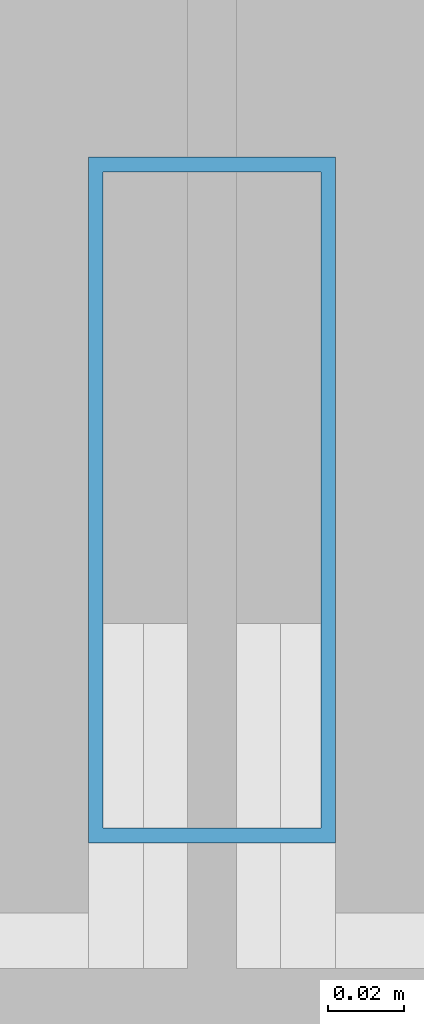
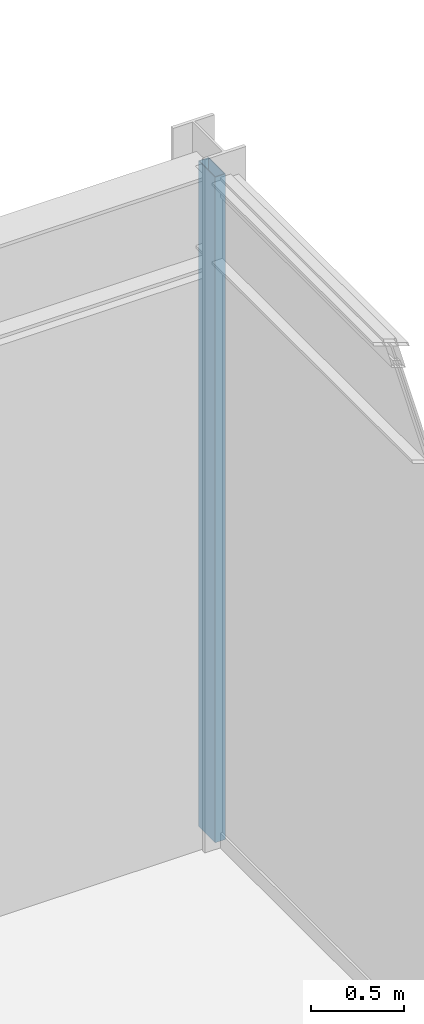
# One storey, part 11 of 22: 1 member, 1 element without a shape of its own.
"""IFC4 building model written with IfcOpenShell, lengths in metres."""

import ifcopenshell
import ifcopenshell.guid

model = None  # the IFC model being written
_history = None  # IfcOwnerHistory: only IFC2X3 demands one
_inside = {}  # id of a spatial element -> (the spatial element, [elements in it])
_under = {}  # id of a project, library or spatial element -> (it, [spatial elements below it])
_declared = {}  # id of a project -> (the project, [libraries it declares])
_typed = {}  # id of a type object -> (the type object, [elements of that type])
_made_of = {}  # id of a material, layer set ... -> (it, [elements and type objects made of it])


def new_model(schema):
    """Start an empty IFC model of exactly this schema.

    Asked for "IFC4X3", IfcOpenShell would pick the latest addendum, in which some entities
    have other attributes; the version numbers below select the first issue.
    IFC2X3 requires an IfcOwnerHistory on every rooted entity: one is made here for all.
    """
    global model, _history
    if schema == "IFC4X3":
        model = ifcopenshell.file(schema_version=(4, 3, 0, 0))
    else:
        model = ifcopenshell.file(schema=schema)
    _inside.clear()
    _under.clear()
    _declared.clear()
    _typed.clear()
    _made_of.clear()
    _history = None
    if model.schema == "IFC2X3":
        org = make("IfcOrganization", Name="unknown")
        user = make(
            "IfcPersonAndOrganization",
            ThePerson=make("IfcPerson", FamilyName="unknown"),
            TheOrganization=org,
        )
        app = make(
            "IfcApplication",
            ApplicationDeveloper=org,
            Version="unknown",
            ApplicationFullName="unknown",
            ApplicationIdentifier="unknown",
        )
        _history = make(
            "IfcOwnerHistory",
            OwningUser=user,
            OwningApplication=app,
            ChangeAction="ADDED",
            CreationDate=0,
        )
    return model


def make(cls, **values):
    """One entity of the class cls with the attributes given. An attribute that is None is left unset."""
    return model.create_entity(
        cls, **{name: value for name, value in values.items() if value is not None}
    )


def rooted(cls, **values):
    """An entity with a GlobalId (a new one), such as an element, a storey or a relation."""
    return make(cls, GlobalId=ifcopenshell.guid.new(), OwnerHistory=_history, **values)


def si_unit(unit_type, name, prefix=None):
    """IfcSIUnit, for example si_unit("LENGTHUNIT", "METRE", prefix="MILLI")."""
    return make("IfcSIUnit", UnitType=unit_type, Prefix=prefix, Name=name)


def assignment(units):
    """IfcUnitAssignment: the units of a project."""
    return None if units is None else make("IfcUnitAssignment", Units=units)


def point(xyz):
    """IfcCartesianPoint."""
    return None if xyz is None else make("IfcCartesianPoint", Coordinates=xyz)


def direction(xyz):
    """IfcDirection."""
    return None if xyz is None else make("IfcDirection", DirectionRatios=xyz)


def frame(location, z_axis=None, x_axis=None):
    """IfcAxis2Placement3D, a coordinate frame: its origin and axes. An axis left out is left unset."""
    return make(
        "IfcAxis2Placement3D",
        Location=point(location),
        Axis=direction(z_axis),
        RefDirection=direction(x_axis),
    )


def frame_2d(location, x_axis=None):
    """IfcAxis2Placement2D, a coordinate frame in the plane: its origin and x axis."""
    return make(
        "IfcAxis2Placement2D", Location=point(location), RefDirection=direction(x_axis)
    )


def origin():
    """The frame at (0, 0, 0) with its axes left unset."""
    return frame((0.0, 0.0, 0.0))


def origin_2d():
    """The frame at (0, 0) in the plane with its x axis left unset."""
    return frame_2d((0.0, 0.0))


def place(relative_to, where):
    """IfcLocalPlacement: puts the frame where relative to a parent placement (None: the world)."""
    return make(
        "IfcLocalPlacement", PlacementRelTo=relative_to, RelativePlacement=where
    )


def context(
    kind, dimensions, precision=None, world=None, true_north=None, identifier=None
):
    """IfcGeometricRepresentationContext, for example the 3D "Model" context."""
    return make(
        "IfcGeometricRepresentationContext",
        ContextIdentifier=identifier,
        ContextType=kind,
        CoordinateSpaceDimension=dimensions,
        Precision=precision,
        WorldCoordinateSystem=world,
        TrueNorth=true_north,
    )


def subcontext(parent, identifier, kind, view, scale=None):
    """IfcGeometricRepresentationSubContext, for example "Body" below "Model"."""
    return make(
        "IfcGeometricRepresentationSubContext",
        ContextIdentifier=identifier,
        ContextType=kind,
        ParentContext=parent,
        TargetScale=scale,
        TargetView=view,
    )


def project(units=None, contexts=None):
    """IfcProject with its units and contexts."""
    return rooted(
        "IfcProject",
        Name="project",
        RepresentationContexts=contexts,
        UnitsInContext=assignment(units),
    )


def spatial(cls, under=None, at=None, **own):
    """A site, building, storey or space (cls), placed at a placement, below another one or the project."""
    s = rooted(cls, ObjectPlacement=at, **own)
    if under is not None:
        _under.setdefault(under.id(), (under, []))[1].append(s)
    return s


def profile(cls, at=None, kind="AREA", **sizes):
    """A parametric profile (cls). Its sizes go by their IFC names, for example OverallWidth=200.0."""
    return make(cls, ProfileType=kind, Position=at, **sizes)


def hollow_rectangle(**sizes):
    """IfcRectangleHollowProfileDef."""
    return profile("IfcRectangleHollowProfileDef", **sizes)


def extrude(swept, where, along, depth):
    """IfcExtrudedAreaSolid: the profile swept, set in the frame where, extruded along a direction by depth."""
    return make(
        "IfcExtrudedAreaSolid",
        SweptArea=swept,
        Position=where,
        ExtrudedDirection=direction(along),
        Depth=depth,
    )


def shape(context_of_items, identifier, shape_type, items):
    """IfcShapeRepresentation: the items that make up one representation, for example the "Body"."""
    return make(
        "IfcShapeRepresentation",
        ContextOfItems=context_of_items,
        RepresentationIdentifier=identifier,
        RepresentationType=shape_type,
        Items=items,
    )


def material(Name=None, Category=None):
    """IfcMaterial."""
    return make("IfcMaterial", Name=Name, Category=Category)


def material_profile(
    of_material, cross_section, Name=None, Category=None, Priority=None
):
    """IfcMaterialProfile: a cross section and its material."""
    return make(
        "IfcMaterialProfile",
        Name=Name,
        Material=of_material,
        Profile=cross_section,
        Priority=Priority,
        Category=Category,
    )


def profile_set(profiles, Name=None, composite=None):
    """IfcMaterialProfileSet."""
    return make(
        "IfcMaterialProfileSet",
        Name=Name,
        MaterialProfiles=profiles,
        CompositeProfile=composite,
    )


def made_of(thing, what):
    """Note that an element or type object is made of a material, layer set ...; save() writes the relation."""
    if what is not None:
        _made_of.setdefault(what.id(), (what, []))[1].append(thing)
    return thing


def type_object(cls, material=None, **own):
    """A type object (cls), such as IfcWallType, which elements share."""
    return made_of(rooted(cls, **own), material)


def element(
    cls,
    number,
    at=None,
    inside=None,
    cuts=None,
    type_object=None,
    material=None,
    context=None,
    identifier="Body",
    shape_type=None,
    held_by="IfcProductDefinitionShape",
    body=None,
    shapes=None,
    **own,
):
    """One element of the class cls, such as IfcWall. Its Tag is "e" and its number.

    at: its placement. inside: the storey or other place that contains it. cuts: it is an
    opening in that element (IfcRelVoidsElement). A single representation is given by context,
    identifier, shape_type and body (its items); several are given by shapes. held_by: the class
    of the entity that holds the representations. save() writes the other relations.
    """
    e = rooted(cls, Tag="e%d" % number, ObjectPlacement=at, **own)
    if body is not None:
        shapes = [shape(context, identifier, shape_type, body)]
    if shapes is not None:
        e.Representation = make(held_by, Representations=shapes)
    if inside is not None:
        _inside.setdefault(inside.id(), (inside, []))[1].append(e)
    if cuts is not None:
        rooted(
            "IfcRelVoidsElement", RelatingBuildingElement=cuts, RelatedOpeningElement=e
        )
    if type_object is not None:
        _typed.setdefault(type_object.id(), (type_object, []))[1].append(e)
    return made_of(e, material)


def aggregate(whole, parts):
    """IfcRelAggregates: a whole, such as a stair, and the parts it consists of."""
    return rooted("IfcRelAggregates", RelatingObject=whole, RelatedObjects=parts)


def save(model, path):
    """Write the relations noted so far, then the file.

    IfcRelAggregates (storeys below a building ...), IfcRelContainedInSpatialStructure (elements
    in a storey), IfcRelDefinesByType, IfcRelAssociatesMaterial and IfcRelDeclares: one each for
    every whole, place, type object, material and project.
    """
    for whole, parts in _under.values():
        aggregate(whole, parts)
    for where, things in _inside.values():
        rooted(
            "IfcRelContainedInSpatialStructure",
            RelatedElements=things,
            RelatingStructure=where,
        )
    for kind, things in _typed.values():
        rooted("IfcRelDefinesByType", RelatedObjects=things, RelatingType=kind)
    for what, things in _made_of.values():
        rooted("IfcRelAssociatesMaterial", RelatedObjects=things, RelatingMaterial=what)
    for by, libraries in _declared.values():
        rooted("IfcRelDeclares", RelatingContext=by, RelatedDefinitions=libraries)
    model.write(path)


model = new_model("IFC4")

# Units and contexts
model_context = context("Model", 3, precision=1e-05, world=origin(), true_north=direction((0.0, 1.0)))
body_context = subcontext(model_context, "Body", "Model", "MODEL_VIEW")
ifc_project = project(units=[si_unit("LENGTHUNIT", "METRE"), si_unit("AREAUNIT", "SQUARE_METRE"), si_unit("VOLUMEUNIT", "CUBIC_METRE"), si_unit("PLANEANGLEUNIT", "RADIAN"), si_unit("MASSUNIT", "GRAM", prefix="KILO")], contexts=[model_context])

# Site, building, storey
site_placement = place(None, origin())
site = spatial("IfcSite", under=ifc_project, at=site_placement, CompositionType="ELEMENT")
building_placement = place(site_placement, origin())
building = spatial("IfcBuilding", under=site, at=building_placement, Name="Almandine Court Research Institute", CompositionType="ELEMENT")
storey_placement = place(building_placement, frame((0.0, 0.0, 28.0)))
storey = spatial("IfcBuildingStorey", under=building, at=storey_placement, Name="L06", CompositionType="ELEMENT", Elevation=28.0)

# Curtain wall, member
ifc_material_1 = material(Name="Unitised Curtain Wall Framing and Solar Glazing", Category="glass")
curtain_wall_type = type_object("IfcCurtainWallType", Name="CW-CWJ-15", PredefinedType="USERDEFINED", material=ifc_material_1)
curtain_wall_placement = place(storey_placement, origin())
curtain_wall = element("IfcCurtainWall", 1, at=curtain_wall_placement, inside=storey, type_object=curtain_wall_type, Name="L06 Wet Lab East Jali Curtain Wall 6", ObjectType="SOLAR JALI SCREEN", PredefinedType="USERDEFINED")
ifc_material_2 = material(Name="Anodised Aluminium AW-6063-T6", Category="aluminium")
ifc_material_profile = material_profile(ifc_material_2, hollow_rectangle(XDim=0.06494140625, YDim=0.179931640625, WallThickness=0.00390625, at=origin_2d()), Name="ALU RHS 65x180x4")
ifc_profile_set = profile_set([ifc_material_profile], Name="Anodised Aluminium AW-6063-T6")
member_type = type_object("IfcMemberType", Name="CWMul-65x180", PredefinedType="MULLION", material=ifc_profile_set)
member_placement = place(storey_placement, frame((174.0, 70.763427734375, 0.0), z_axis=(0.0, 0.0, 1.0), x_axis=(1.0, 0.0, 0.0)))
member = element("IfcMember", 2, at=member_placement, type_object=member_type, Name="CWJ-15 mullion 1", PredefinedType="MULLION", context=body_context, shape_type="SweptSolid", body=[
    extrude(hollow_rectangle(XDim=0.06494140625, YDim=0.179931640625, WallThickness=0.00390625, at=origin_2d()), origin(), (0.0, 0.0, 1.0), 4.3701171875),
])
aggregate(curtain_wall, [member])

save(model, "model.ifc")
